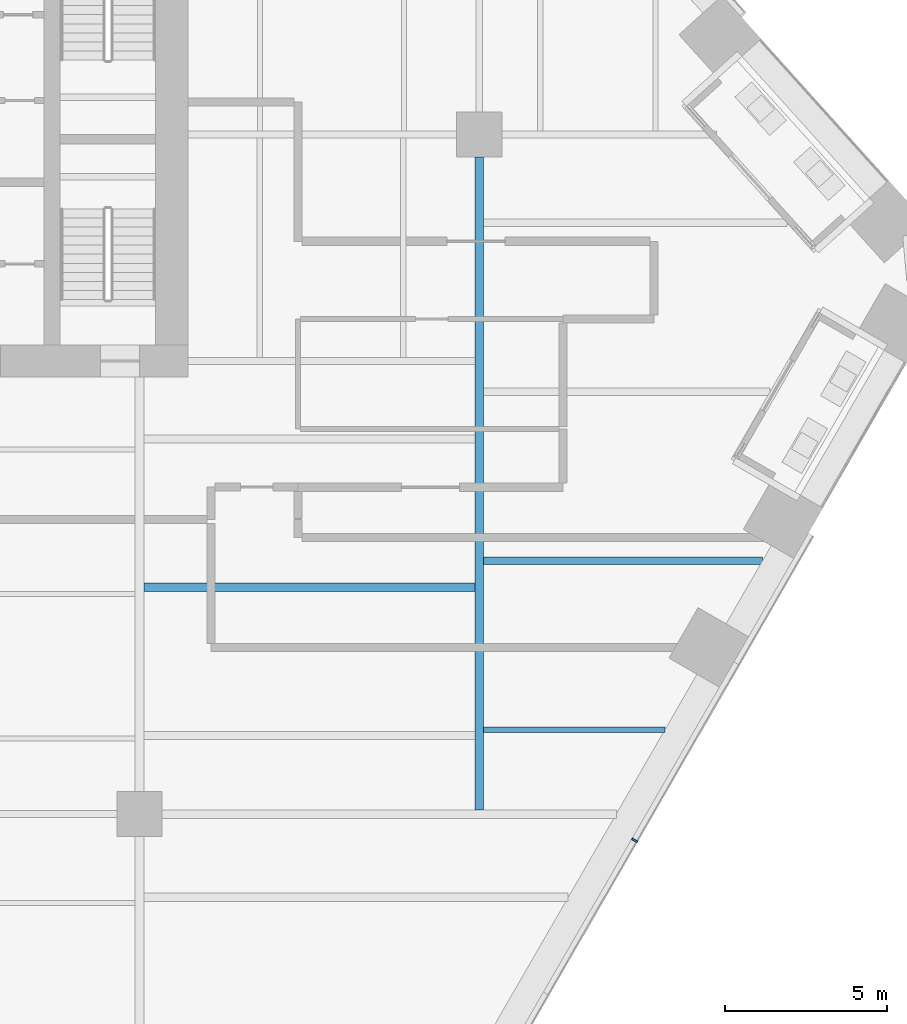
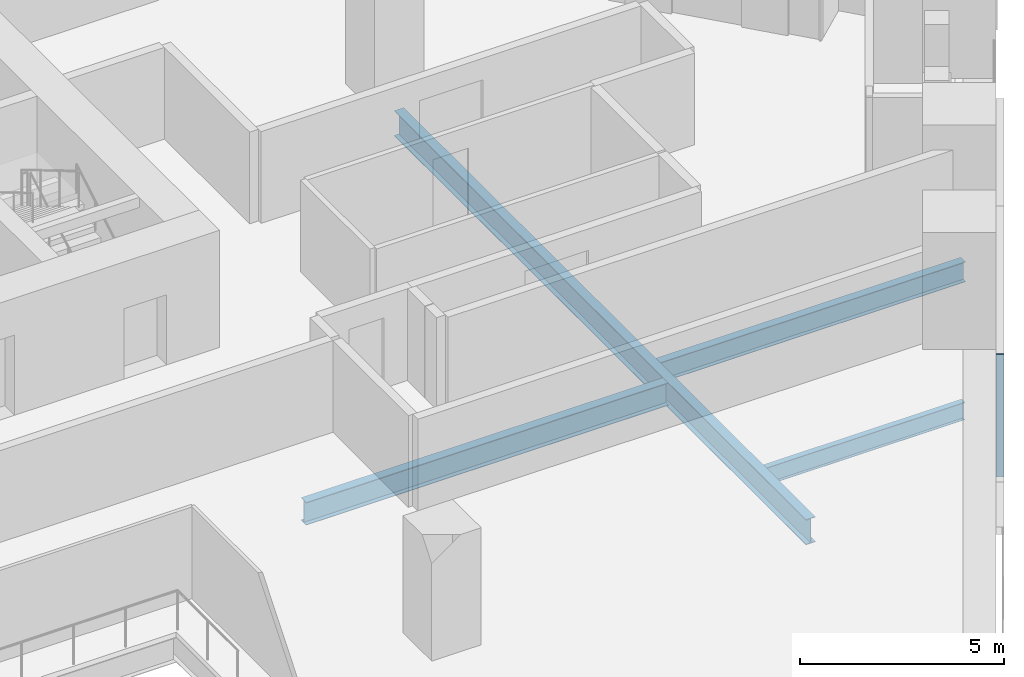
# One storey, part 7 of 28: 4 beams, 1 member, 1 element without a shape of its own.
"""IFC4 building model written with IfcOpenShell, lengths in metres."""

from ifc_helpers import new_model, si_unit, direction, frame, origin, origin_2d, place, context, subcontext, project, spatial, rectangle, i_section, extrude, material, layer, layer_set, material_profile, profile_set, type_object, element, aggregate, save


model = new_model("IFC4")

# Units and contexts
model_context = context("Model", 3, precision=1e-05, world=origin(), true_north=direction((0.0, 1.0)))
body_context = subcontext(model_context, "Body", "Model", "MODEL_VIEW")
ifc_project = project(units=[si_unit("LENGTHUNIT", "METRE"), si_unit("AREAUNIT", "SQUARE_METRE"), si_unit("VOLUMEUNIT", "CUBIC_METRE"), si_unit("PLANEANGLEUNIT", "RADIAN"), si_unit("MASSUNIT", "GRAM", prefix="KILO")], contexts=[model_context])

# Site, building, storey
site_placement = place(None, origin())
site = spatial("IfcSite", under=ifc_project, at=site_placement, CompositionType="ELEMENT")
building_placement = place(site_placement, origin())
building = spatial("IfcBuilding", under=site, at=building_placement, Name="Isthmus Gate Tower", CompositionType="ELEMENT")
storey_placement = place(building_placement, frame((0.0, 0.0, 68.85009765625)))
storey = spatial("IfcBuildingStorey", under=building, at=storey_placement, Name="L15", CompositionType="ELEMENT", Elevation=68.85009765625)

# Curtain wall, member
ifc_material_1 = material(Name="Aluminium, pale champagne anodised", Category="aluminium")
ifc_layer = layer(ifc_material_1, 0.199951171875)
ifc_layer_set = layer_set([ifc_layer], Name="CW-1 UNITISED CURTAIN WALL 200 DEEP")
curtain_wall_type = type_object("IfcCurtainWallType", Name="CW-1 UNITISED CURTAIN WALL 200 DEEP", PredefinedType="NOTDEFINED", material=ifc_layer_set)
curtain_wall_placement = place(storey_placement, origin())
curtain_wall = element("IfcCurtainWall", 1, at=curtain_wall_placement, inside=storey, type_object=curtain_wall_type, Name="CW-1 SE L15", PredefinedType="NOTDEFINED")
ifc_material_2 = material(Name="Aluminium, pale champagne anodised", Category="aluminium")
ifc_material_profile_1 = material_profile(ifc_material_2, rectangle(XDim=0.06005859375, YDim=0.199951171875, at=origin_2d()), Name="60x200")
ifc_profile_set_1 = profile_set([ifc_material_profile_1], Name="Aluminium, pale champagne anodised")
member_type = type_object("IfcMemberType", Name="CW-1 MULLION 60 X 200", PredefinedType="MULLION", material=ifc_profile_set_1)
member_placement = place(storey_placement, frame((28.802001953125, -14.3134765625, 0.0), z_axis=(0.0, 0.0, 1.0), x_axis=(0.5, 0.866025403784, 0.0)))
member = element("IfcMember", 2, at=member_placement, type_object=member_type, Name="CW-1 mullion", PredefinedType="MULLION", context=body_context, shape_type="SweptSolid", body=[
    extrude(rectangle(XDim=0.06005859375, YDim=0.199951171875, at=origin_2d()), origin(), (0.0, 0.0, 1.0), 3.64990234375),
])
aggregate(curtain_wall, [member])

# Beams
ifc_material_3 = material(Name="Structural steel ASTM A992 Gr 50", Category="steel")
ifc_material_profile_2 = material_profile(ifc_material_3, i_section(OverallWidth=0.1650390625, OverallDepth=0.52392578125, WebThickness=0.009521484375, FlangeThickness=0.010986328125, at=origin_2d()), Name="W21X44")
ifc_profile_set_2 = profile_set([ifc_material_profile_2], Name="Structural steel ASTM A992 Gr 50")
beam_type_1 = type_object("IfcBeamType", Name="STEEL FLOOR BEAM W21X44", PredefinedType="JOIST", material=ifc_profile_set_2)
beam_1_placement = place(storey_placement, frame((24.13330078125, -10.889404296875, -0.412109375), z_axis=(1.0, 0.0, 0.0), x_axis=(0.0, 1.0, 0.0)))
element("IfcBeam", 3, at=beam_1_placement, inside=storey, type_object=beam_type_1, Name="str-beam-L15-38-00", PredefinedType="JOIST", context=body_context, shape_type="SweptSolid", body=[
    extrude(i_section(OverallWidth=0.1650390625, OverallDepth=0.52392578125, WebThickness=0.009521484375, FlangeThickness=0.010986328125, at=origin_2d()), origin(), (0.0, 0.0, 1.0), 5.6064453125),
])
ifc_material_4 = material(Name="Structural steel ASTM A992 Gr 50", Category="steel")
ifc_material_profile_3 = material_profile(ifc_material_4, i_section(OverallWidth=0.228515625, OverallDepth=0.603271484375, WebThickness=0.010986328125, FlangeThickness=0.014404296875, at=origin_2d()), Name="W24X68")
ifc_profile_set_3 = profile_set([ifc_material_profile_3], Name="Structural steel ASTM A992 Gr 50")
beam_type_2 = type_object("IfcBeamType", Name="STEEL FLOOR BEAM W24X68", PredefinedType="JOIST", material=ifc_profile_set_3)
beam_2_placement = place(storey_placement, frame((24.13330078125, -5.66796875, -0.45166015625), z_axis=(1.0, 0.0, 0.0), x_axis=(0.0, 1.0, 0.0)))
element("IfcBeam", 4, at=beam_2_placement, inside=storey, type_object=beam_type_2, Name="str-beam-L15-38-01", PredefinedType="JOIST", context=body_context, shape_type="SweptSolid", body=[
    extrude(i_section(OverallWidth=0.228515625, OverallDepth=0.603271484375, WebThickness=0.010986328125, FlangeThickness=0.014404296875, at=origin_2d()), origin(), (0.0, 0.0, 1.0), 8.62109375),
])
ifc_material_5 = material(Name="Structural steel ASTM A992 Gr 50", Category="steel")
ifc_material_profile_4 = material_profile(ifc_material_5, i_section(OverallWidth=0.25390625, OverallDepth=0.679443359375, WebThickness=0.010986328125, FlangeThickness=0.015869140625, at=origin_2d()), Name="W27X84")
ifc_profile_set_4 = profile_set([ifc_material_profile_4], Name="Structural steel ASTM A992 Gr 50")
beam_type_3 = type_object("IfcBeamType", Name="STEEL FLOOR BEAM W27X84", PredefinedType="JOIST", material=ifc_profile_set_4)
beam_3_placement = place(storey_placement, frame((13.6318359375, -6.490478515625, -0.48974609375), z_axis=(1.0, 0.0, 0.0), x_axis=(0.0, 1.0, 0.0)))
element("IfcBeam", 5, at=beam_3_placement, inside=storey, type_object=beam_type_3, Name="str-beam-L15-31-01", PredefinedType="JOIST", context=body_context, shape_type="SweptSolid", body=[
    extrude(i_section(OverallWidth=0.25390625, OverallDepth=0.679443359375, WebThickness=0.010986328125, FlangeThickness=0.015869140625, at=origin_2d()), origin(), (0.0, 0.0, 1.0), 10.23486328125),
])
ifc_material_6 = material(Name="Structural steel ASTM A992 Gr 50", Category="steel")
ifc_material_profile_5 = material_profile(ifc_material_6, i_section(OverallWidth=0.2666015625, OverallDepth=0.7587890625, WebThickness=0.014404296875, FlangeThickness=0.01904296875, at=origin_2d()), Name="W30X108")
ifc_profile_set_5 = profile_set([ifc_material_profile_5], Name="Structural steel ASTM A992 Gr 50")
beam_type_4 = type_object("IfcBeamType", Name="STEEL GIRDER W30X108", PredefinedType="BEAM", material=ifc_profile_set_5)
beam_4_placement = place(storey_placement, frame((24.0, -13.36669921875, -0.529541015625), z_axis=(0.0, 1.0, 0.0), x_axis=(-1.0, 0.0, 0.0)))
element("IfcBeam", 6, at=beam_4_placement, inside=storey, type_object=beam_type_4, Name="str-girder-L15-35", PredefinedType="BEAM", context=body_context, shape_type="SweptSolid", body=[
    extrude(i_section(OverallWidth=0.2666015625, OverallDepth=0.7587890625, WebThickness=0.014404296875, FlangeThickness=0.01904296875, at=origin_2d()), origin(), (0.0, 0.0, 1.0), 20.166748046875),
])

save(model, "model.ifc")
